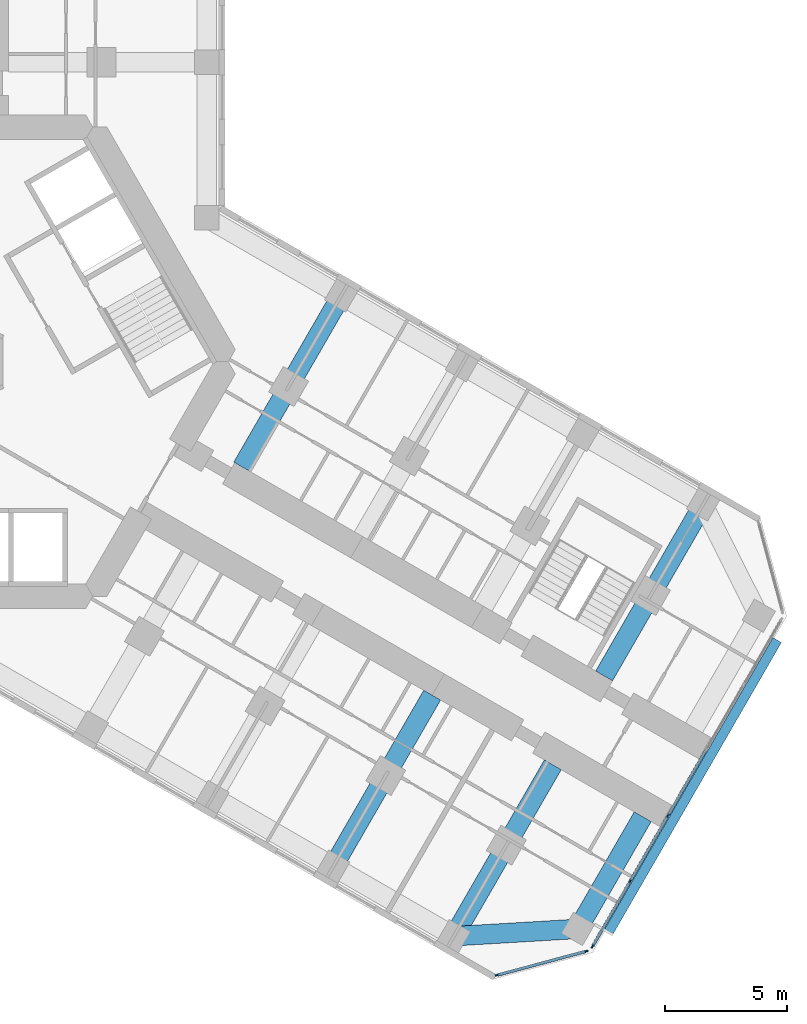
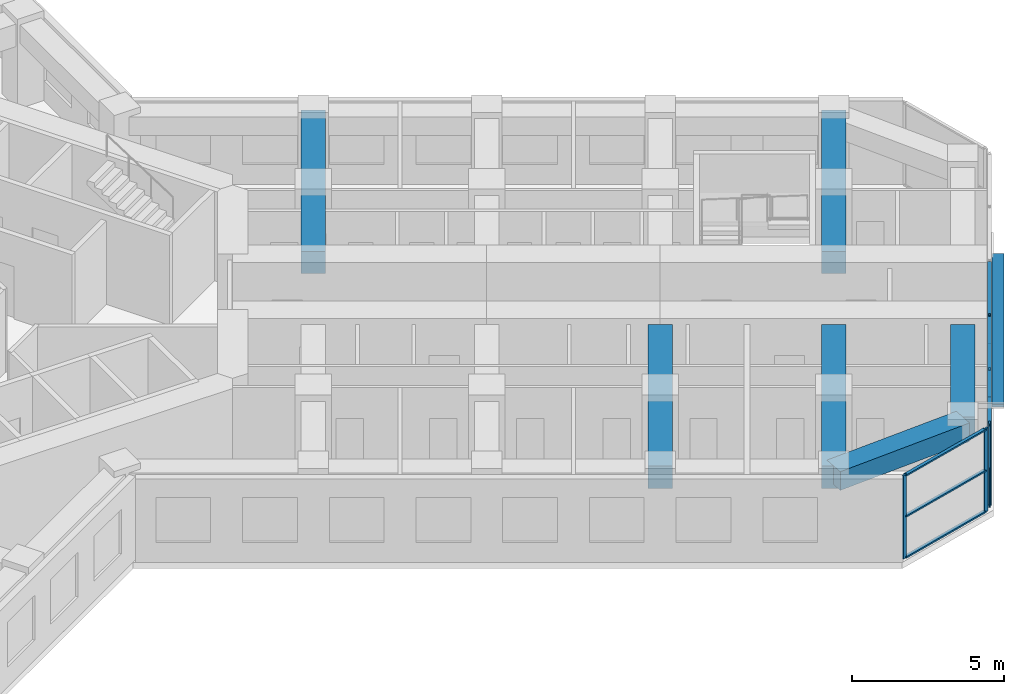
# One storey, part 5 of 21: 15 members, 6 beams, 2 elements without a shape of their own.
"""IFC4 building model written with IfcOpenShell, lengths in metres."""

import ifcopenshell
import ifcopenshell.guid

model = None  # the IFC model being written
_history = None  # IfcOwnerHistory: only IFC2X3 demands one
_inside = {}  # id of a spatial element -> (the spatial element, [elements in it])
_under = {}  # id of a project, library or spatial element -> (it, [spatial elements below it])
_declared = {}  # id of a project -> (the project, [libraries it declares])
_typed = {}  # id of a type object -> (the type object, [elements of that type])
_made_of = {}  # id of a material, layer set ... -> (it, [elements and type objects made of it])


def new_model(schema):
    """Start an empty IFC model of exactly this schema.

    Asked for "IFC4X3", IfcOpenShell would pick the latest addendum, in which some entities
    have other attributes; the version numbers below select the first issue.
    IFC2X3 requires an IfcOwnerHistory on every rooted entity: one is made here for all.
    """
    global model, _history
    if schema == "IFC4X3":
        model = ifcopenshell.file(schema_version=(4, 3, 0, 0))
    else:
        model = ifcopenshell.file(schema=schema)
    _inside.clear()
    _under.clear()
    _declared.clear()
    _typed.clear()
    _made_of.clear()
    _history = None
    if model.schema == "IFC2X3":
        org = make("IfcOrganization", Name="unknown")
        user = make(
            "IfcPersonAndOrganization",
            ThePerson=make("IfcPerson", FamilyName="unknown"),
            TheOrganization=org,
        )
        app = make(
            "IfcApplication",
            ApplicationDeveloper=org,
            Version="unknown",
            ApplicationFullName="unknown",
            ApplicationIdentifier="unknown",
        )
        _history = make(
            "IfcOwnerHistory",
            OwningUser=user,
            OwningApplication=app,
            ChangeAction="ADDED",
            CreationDate=0,
        )
    return model


def make(cls, **values):
    """One entity of the class cls with the attributes given. An attribute that is None is left unset."""
    return model.create_entity(
        cls, **{name: value for name, value in values.items() if value is not None}
    )


def rooted(cls, **values):
    """An entity with a GlobalId (a new one), such as an element, a storey or a relation."""
    return make(cls, GlobalId=ifcopenshell.guid.new(), OwnerHistory=_history, **values)


def si_unit(unit_type, name, prefix=None):
    """IfcSIUnit, for example si_unit("LENGTHUNIT", "METRE", prefix="MILLI")."""
    return make("IfcSIUnit", UnitType=unit_type, Prefix=prefix, Name=name)


def assignment(units):
    """IfcUnitAssignment: the units of a project."""
    return None if units is None else make("IfcUnitAssignment", Units=units)


def point(xyz):
    """IfcCartesianPoint."""
    return None if xyz is None else make("IfcCartesianPoint", Coordinates=xyz)


def direction(xyz):
    """IfcDirection."""
    return None if xyz is None else make("IfcDirection", DirectionRatios=xyz)


def frame(location, z_axis=None, x_axis=None):
    """IfcAxis2Placement3D, a coordinate frame: its origin and axes. An axis left out is left unset."""
    return make(
        "IfcAxis2Placement3D",
        Location=point(location),
        Axis=direction(z_axis),
        RefDirection=direction(x_axis),
    )


def frame_2d(location, x_axis=None):
    """IfcAxis2Placement2D, a coordinate frame in the plane: its origin and x axis."""
    return make(
        "IfcAxis2Placement2D", Location=point(location), RefDirection=direction(x_axis)
    )


def origin():
    """The frame at (0, 0, 0) with its axes left unset."""
    return frame((0.0, 0.0, 0.0))


def origin_2d():
    """The frame at (0, 0) in the plane with its x axis left unset."""
    return frame_2d((0.0, 0.0))


def place(relative_to, where):
    """IfcLocalPlacement: puts the frame where relative to a parent placement (None: the world)."""
    return make(
        "IfcLocalPlacement", PlacementRelTo=relative_to, RelativePlacement=where
    )


def context(
    kind, dimensions, precision=None, world=None, true_north=None, identifier=None
):
    """IfcGeometricRepresentationContext, for example the 3D "Model" context."""
    return make(
        "IfcGeometricRepresentationContext",
        ContextIdentifier=identifier,
        ContextType=kind,
        CoordinateSpaceDimension=dimensions,
        Precision=precision,
        WorldCoordinateSystem=world,
        TrueNorth=true_north,
    )


def subcontext(parent, identifier, kind, view, scale=None):
    """IfcGeometricRepresentationSubContext, for example "Body" below "Model"."""
    return make(
        "IfcGeometricRepresentationSubContext",
        ContextIdentifier=identifier,
        ContextType=kind,
        ParentContext=parent,
        TargetScale=scale,
        TargetView=view,
    )


def project(units=None, contexts=None):
    """IfcProject with its units and contexts."""
    return rooted(
        "IfcProject",
        Name="project",
        RepresentationContexts=contexts,
        UnitsInContext=assignment(units),
    )


def spatial(cls, under=None, at=None, **own):
    """A site, building, storey or space (cls), placed at a placement, below another one or the project."""
    s = rooted(cls, ObjectPlacement=at, **own)
    if under is not None:
        _under.setdefault(under.id(), (under, []))[1].append(s)
    return s


def profile(cls, at=None, kind="AREA", **sizes):
    """A parametric profile (cls). Its sizes go by their IFC names, for example OverallWidth=200.0."""
    return make(cls, ProfileType=kind, Position=at, **sizes)


def rectangle(**sizes):
    """IfcRectangleProfileDef."""
    return profile("IfcRectangleProfileDef", **sizes)


def extrude(swept, where, along, depth):
    """IfcExtrudedAreaSolid: the profile swept, set in the frame where, extruded along a direction by depth."""
    return make(
        "IfcExtrudedAreaSolid",
        SweptArea=swept,
        Position=where,
        ExtrudedDirection=direction(along),
        Depth=depth,
    )


def shape(context_of_items, identifier, shape_type, items):
    """IfcShapeRepresentation: the items that make up one representation, for example the "Body"."""
    return make(
        "IfcShapeRepresentation",
        ContextOfItems=context_of_items,
        RepresentationIdentifier=identifier,
        RepresentationType=shape_type,
        Items=items,
    )


def material(Name=None, Category=None):
    """IfcMaterial."""
    return make("IfcMaterial", Name=Name, Category=Category)


def material_profile(
    of_material, cross_section, Name=None, Category=None, Priority=None
):
    """IfcMaterialProfile: a cross section and its material."""
    return make(
        "IfcMaterialProfile",
        Name=Name,
        Material=of_material,
        Profile=cross_section,
        Priority=Priority,
        Category=Category,
    )


def profile_set(profiles, Name=None, composite=None):
    """IfcMaterialProfileSet."""
    return make(
        "IfcMaterialProfileSet",
        Name=Name,
        MaterialProfiles=profiles,
        CompositeProfile=composite,
    )


def made_of(thing, what):
    """Note that an element or type object is made of a material, layer set ...; save() writes the relation."""
    if what is not None:
        _made_of.setdefault(what.id(), (what, []))[1].append(thing)
    return thing


def type_object(cls, material=None, **own):
    """A type object (cls), such as IfcWallType, which elements share."""
    return made_of(rooted(cls, **own), material)


def element(
    cls,
    number,
    at=None,
    inside=None,
    cuts=None,
    type_object=None,
    material=None,
    context=None,
    identifier="Body",
    shape_type=None,
    held_by="IfcProductDefinitionShape",
    body=None,
    shapes=None,
    **own,
):
    """One element of the class cls, such as IfcWall. Its Tag is "e" and its number.

    at: its placement. inside: the storey or other place that contains it. cuts: it is an
    opening in that element (IfcRelVoidsElement). A single representation is given by context,
    identifier, shape_type and body (its items); several are given by shapes. held_by: the class
    of the entity that holds the representations. save() writes the other relations.
    """
    e = rooted(cls, Tag="e%d" % number, ObjectPlacement=at, **own)
    if body is not None:
        shapes = [shape(context, identifier, shape_type, body)]
    if shapes is not None:
        e.Representation = make(held_by, Representations=shapes)
    if inside is not None:
        _inside.setdefault(inside.id(), (inside, []))[1].append(e)
    if cuts is not None:
        rooted(
            "IfcRelVoidsElement", RelatingBuildingElement=cuts, RelatedOpeningElement=e
        )
    if type_object is not None:
        _typed.setdefault(type_object.id(), (type_object, []))[1].append(e)
    return made_of(e, material)


def aggregate(whole, parts):
    """IfcRelAggregates: a whole, such as a stair, and the parts it consists of."""
    return rooted("IfcRelAggregates", RelatingObject=whole, RelatedObjects=parts)


def save(model, path):
    """Write the relations noted so far, then the file.

    IfcRelAggregates (storeys below a building ...), IfcRelContainedInSpatialStructure (elements
    in a storey), IfcRelDefinesByType, IfcRelAssociatesMaterial and IfcRelDeclares: one each for
    every whole, place, type object, material and project.
    """
    for whole, parts in _under.values():
        aggregate(whole, parts)
    for where, things in _inside.values():
        rooted(
            "IfcRelContainedInSpatialStructure",
            RelatedElements=things,
            RelatingStructure=where,
        )
    for kind, things in _typed.values():
        rooted("IfcRelDefinesByType", RelatedObjects=things, RelatingType=kind)
    for what, things in _made_of.values():
        rooted("IfcRelAssociatesMaterial", RelatedObjects=things, RelatingMaterial=what)
    for by, libraries in _declared.values():
        rooted("IfcRelDeclares", RelatingContext=by, RelatedDefinitions=libraries)
    model.write(path)


model = new_model("IFC4")

# Units and contexts
model_context = context("Model", 3, precision=1e-05, world=origin(), true_north=direction((0.0, 1.0)))
body_context = subcontext(model_context, "Body", "Model", "MODEL_VIEW")
ifc_project = project(units=[si_unit("LENGTHUNIT", "METRE"), si_unit("AREAUNIT", "SQUARE_METRE"), si_unit("VOLUMEUNIT", "CUBIC_METRE"), si_unit("PLANEANGLEUNIT", "RADIAN"), si_unit("MASSUNIT", "GRAM", prefix="KILO")], contexts=[model_context])

# Site, building, storey
site_placement = place(None, origin())
site = spatial("IfcSite", under=ifc_project, at=site_placement, CompositionType="ELEMENT")
building_placement = place(site_placement, origin())
building = spatial("IfcBuilding", under=site, at=building_placement, Name="Kosmar Iwan School Tower", CompositionType="ELEMENT")
storey_placement = place(building_placement, frame((0.0, 0.0, 64.60009765625)))
storey = spatial("IfcBuildingStorey", under=building, at=storey_placement, Name="L15", CompositionType="ELEMENT", Elevation=64.60009765625)

# Member
ifc_material_1 = material(Name="Black anodised aluminium", Category="aluminium")
ifc_material_profile_1 = material_profile(ifc_material_1, rectangle(XDim=0.10009765625, YDim=0.39990234375, at=origin_2d()), Name="FIN 100x400")
ifc_profile_set_1 = profile_set([ifc_material_profile_1], Name="Black anodised aluminium")
member_type_1 = type_object("IfcMemberType", Name="Diagonal fin 100x400", PredefinedType="USERDEFINED", material=ifc_profile_set_1)
member_1_placement = place(storey_placement, frame((33.54345703125, -11.40087890625, -0.150146484375), z_axis=(-0.483793446988, -0.837970316603, 0.25248692866), x_axis=(0.126241714543, 0.218661104574, 0.96760030532)))
element("IfcMember", 1, at=member_1_placement, inside=storey, type_object=member_type_1, Name="Diagonal fin L15-F03", ObjectType="FIN", PredefinedType="USERDEFINED", context=body_context, shape_type="SweptSolid", body=[
    extrude(rectangle(XDim=0.10009765625, YDim=0.39990234375, at=origin_2d()), origin(), (0.0, 0.0, 1.0), 14.258544921875),
])

# Curtain wall, members
ifc_material_2 = material(Name="Dark glass in black aluminium frame", Category="aluminium")
curtain_wall_type_1 = type_object("IfcCurtainWallType", Name="Chamfer curtain wall dark glass", PredefinedType="USERDEFINED", material=ifc_material_2)
curtain_wall_1_placement = place(storey_placement, origin())
curtain_wall_1 = element("IfcCurtainWall", 2, at=curtain_wall_1_placement, inside=storey, type_object=curtain_wall_type_1, Name="Curtain wall L15-F02", ObjectType="FACETED CURTAIN WALL", PredefinedType="USERDEFINED")
ifc_material_3 = material(Name="Black anodised aluminium", Category="aluminium")
ifc_material_profile_2 = material_profile(ifc_material_3, rectangle(XDim=0.06005859375, YDim=0.159912109375, at=origin_2d()), Name="MULLION 60x160")
ifc_profile_set_2 = profile_set([ifc_material_profile_2], Name="Black anodised aluminium")
member_type_2 = type_object("IfcMemberType", Name="Mullion 60x160", PredefinedType="MULLION", material=ifc_profile_set_2)
member_2_placement = place(storey_placement, frame((22.0830078125, -25.102294921875, 0.0), z_axis=(0.0, 0.0, 1.0), x_axis=(-0.258818861462, 0.965925875495, 0.0)))
member_2 = element("IfcMember", 3, at=member_2_placement, type_object=member_type_2, Name="CW2 mullion 1", PredefinedType="MULLION", context=body_context, shape_type="SweptSolid", body=[
    extrude(rectangle(XDim=0.06005859375, YDim=0.159912109375, at=origin_2d()), origin(), (0.0, 0.0, 1.0), 3.349853515625),
])
member_3_placement = place(storey_placement, frame((25.733154296875, -24.124267578125, 0.0), z_axis=(0.0, 0.0, 1.0), x_axis=(-0.258818861462, 0.965925875495, 0.0)))
member_3 = element("IfcMember", 4, at=member_3_placement, type_object=member_type_2, Name="CW2 mullion 2", PredefinedType="MULLION", context=body_context, shape_type="SweptSolid", body=[
    extrude(rectangle(XDim=0.06005859375, YDim=0.159912109375, at=origin_2d()), origin(), (0.0, 0.0, 1.0), 3.349853515625),
])

ifc_material_4 = material(Name="Dark glass in black aluminium frame", Category="aluminium")
curtain_wall_type_2 = type_object("IfcCurtainWallType", Name="Tower curtain wall dark glass", PredefinedType="USERDEFINED", material=ifc_material_4)
curtain_wall_2_placement = place(storey_placement, origin())
curtain_wall_2 = element("IfcCurtainWall", 5, at=curtain_wall_2_placement, inside=storey, type_object=curtain_wall_type_2, Name="Curtain wall L15-F03", ObjectType="UNITISED CURTAIN WALL", PredefinedType="USERDEFINED")
member_4_placement = place(storey_placement, frame((25.9970703125, -23.921630859375, 0.0), z_axis=(0.0, 0.0, 1.0), x_axis=(-0.866025405329, 0.499999997325, 0.0)))
member_4 = element("IfcMember", 6, at=member_4_placement, type_object=member_type_2, Name="CW1 mullion 1", PredefinedType="MULLION", context=body_context, shape_type="SweptSolid", body=[
    extrude(rectangle(XDim=0.06005859375, YDim=0.159912109375, at=origin_2d()), origin(), (0.0, 0.0, 1.0), 3.349853515625),
])
member_5_placement = place(storey_placement, frame((27.53173828125, -21.263671875, 0.0), z_axis=(0.0, 0.0, 1.0), x_axis=(-0.866025405329, 0.499999997325, 0.0)))
member_5 = element("IfcMember", 7, at=member_5_placement, type_object=member_type_2, Name="CW1 mullion 2", PredefinedType="MULLION", context=body_context, shape_type="SweptSolid", body=[
    extrude(rectangle(XDim=0.06005859375, YDim=0.159912109375, at=origin_2d()), origin(), (0.0, 0.0, 1.0), 3.349853515625),
])
member_6_placement = place(storey_placement, frame((29.081298828125, -18.57958984375, 0.0), z_axis=(0.0, 0.0, 1.0), x_axis=(-0.866025405329, 0.499999997325, 0.0)))
member_6 = element("IfcMember", 8, at=member_6_placement, type_object=member_type_2, Name="CW1 mullion 3", PredefinedType="MULLION", context=body_context, shape_type="SweptSolid", body=[
    extrude(rectangle(XDim=0.06005859375, YDim=0.159912109375, at=origin_2d()), origin(), (0.0, 0.0, 1.0), 3.349853515625),
])

# Beams
ifc_material_5 = material(Name="Concrete C50/60", Category="concrete")
ifc_material_profile_3 = material_profile(ifc_material_5, rectangle(XDim=0.800048828125, YDim=0.75, at=origin_2d()), Name="RC 800x750")
ifc_profile_set_3 = profile_set([ifc_material_profile_3], Name="Concrete C50/60")
beam_type_1 = type_object("IfcBeamType", Name="RC tip beam 800x750", PredefinedType="BEAM", material=ifc_profile_set_3)
beam_1_placement = place(storey_placement, frame((20.31787109375, -23.508544921875, 2.974853515625), z_axis=(0.998260616478, 0.058955420358, 0.0), x_axis=(-0.058955420358, 0.998260616478, 0.0)))
element("IfcBeam", 9, at=beam_1_placement, inside=storey, type_object=beam_type_1, Name="Tip beam CR", PredefinedType="BEAM", context=body_context, shape_type="SweptSolid", body=[
    extrude(rectangle(XDim=0.800048828125, YDim=0.75, at=origin_2d()), origin(), (0.0, 0.0, 1.0), 5.08935546875),
])
beam_2_placement = place(storey_placement, frame((25.3984375, -23.20849609375, 2.974853515625), z_axis=(0.499993606316, 0.866029095148, 0.0), x_axis=(-0.866029095148, 0.499993606316, 0.0)))
element("IfcBeam", 10, at=beam_2_placement, inside=storey, type_object=beam_type_1, Name="Tip beam CR to corridor wall", PredefinedType="BEAM", context=body_context, shape_type="SweptSolid", body=[
    extrude(rectangle(XDim=0.800048828125, YDim=0.75, at=origin_2d()), origin(), (0.0, 0.0, 1.0), 5.2998046875),
])
ifc_material_6 = material(Name="Concrete C50/60", Category="concrete")
ifc_material_profile_4 = material_profile(ifc_material_6, rectangle(XDim=0.800048828125, YDim=0.89990234375, at=origin_2d()), Name="RC 800x900")
ifc_profile_set_4 = profile_set([ifc_material_profile_4], Name="Concrete C50/60")
beam_type_2 = type_object("IfcBeamType", Name="RC transverse beam 800x900", PredefinedType="BEAM", material=ifc_profile_set_4)
for number, where, z_axis, x_axis, name in (
    (11, (15.708740234375, 2.70849609375, 2.89990234375), (-0.499999880539, -0.866025472755, 0.0), (0.866025472755, -0.499999880539, 0.0), "Transverse beam CL1"),
    (12, (30.517822265625, -5.841552734375, 2.89990234375), (-0.499999880539, -0.866025472755, 0.0), (0.866025472755, -0.499999880539, 0.0), "Transverse beam CL4"),
    (13, (15.381591796875, -20.658447265625, 2.89990234375), (0.499977274689, 0.866038523851, 0.0), (-0.866038523851, 0.499977274689, 0.0), "Transverse beam CR3"),
    (14, (20.31787109375, -23.508544921875, 2.89990234375), (0.499999880539, 0.866025472755, 0.0), (-0.866025472755, 0.499999880539, 0.0), "Transverse beam CR4"),
):
    element("IfcBeam", number, at=place(storey_placement, frame(where, z_axis=z_axis, x_axis=x_axis)), inside=storey, type_object=beam_type_2, Name=name, PredefinedType="BEAM", context=body_context, shape_type="SweptSolid", body=[
        extrude(rectangle(XDim=0.800048828125, YDim=0.89990234375, at=origin_2d()), origin(), (0.0, 0.0, 1.0), 8.10009765625),
    ])

# Member
ifc_material_7 = material(Name="Black anodised aluminium", Category="aluminium")
ifc_material_profile_5 = material_profile(ifc_material_7, rectangle(XDim=0.1201171875, YDim=0.06005859375, at=origin_2d()), Name="TRANSOM 60x120")
ifc_profile_set_5 = profile_set([ifc_material_profile_5], Name="Black anodised aluminium")
member_type_3 = type_object("IfcMemberType", Name="Transom 60x120", PredefinedType="USERDEFINED", material=ifc_profile_set_5)
member_7_placement = place(storey_placement, frame((22.11181640625, -25.094482421875, 0.02978515625), z_axis=(0.965923731726, 0.258826861991, 0.0), x_axis=(-0.258826861991, 0.965923731726, 0.0)))
member_7 = element("IfcMember", 15, at=member_7_placement, type_object=member_type_3, Name="CW2 transom 1.1", ObjectType="TRANSOM", PredefinedType="USERDEFINED", context=body_context, shape_type="SweptSolid", body=[
    extrude(rectangle(XDim=0.1201171875, YDim=0.06005859375, at=origin_2d()), origin(), (0.0, 0.0, 1.0), 3.71923828125),
])

member_8_placement = place(storey_placement, frame((22.11181640625, -25.094482421875, 1.6748046875), z_axis=(0.965923731726, 0.258826861991, 0.0), x_axis=(-0.258826861991, 0.965923731726, 0.0)))
member_8 = element("IfcMember", 16, at=member_8_placement, type_object=member_type_3, Name="CW2 transom 1.2", ObjectType="TRANSOM", PredefinedType="USERDEFINED", context=body_context, shape_type="SweptSolid", body=[
    extrude(rectangle(XDim=0.1201171875, YDim=0.06005859375, at=origin_2d()), origin(), (0.0, 0.0, 1.0), 3.71923828125),
])

member_9_placement = place(storey_placement, frame((22.11181640625, -25.094482421875, 3.31982421875), z_axis=(0.965923731726, 0.258826861991, 0.0), x_axis=(-0.258826861991, 0.965923731726, 0.0)))
member_9 = element("IfcMember", 17, at=member_9_placement, type_object=member_type_3, Name="CW2 transom 1.3", ObjectType="TRANSOM", PredefinedType="USERDEFINED", context=body_context, shape_type="SweptSolid", body=[
    extrude(rectangle(XDim=0.1201171875, YDim=0.06005859375, at=origin_2d()), origin(), (0.0, 0.0, 1.0), 3.71923828125),
])

aggregate(curtain_wall_1, [member_2, member_3, member_7, member_8, member_9])

member_10_placement = place(storey_placement, frame((26.01220703125, -23.895751953125, 0.02978515625), z_axis=(0.499986971506, 0.866032925658, 0.0), x_axis=(-0.866032925658, 0.499986971506, 0.0)))
member_10 = element("IfcMember", 18, at=member_10_placement, type_object=member_type_3, Name="CW1 transom 1.1", ObjectType="TRANSOM", PredefinedType="USERDEFINED", context=body_context, shape_type="SweptSolid", body=[
    extrude(rectangle(XDim=0.1201171875, YDim=0.06005859375, at=origin_2d()), origin(), (0.0, 0.0, 1.0), 3.00927734375),
])

member_11_placement = place(storey_placement, frame((26.01220703125, -23.895751953125, 3.31982421875), z_axis=(0.499986971506, 0.866032925658, 0.0), x_axis=(-0.866032925658, 0.499986971506, 0.0)))
member_11 = element("IfcMember", 19, at=member_11_placement, type_object=member_type_3, Name="CW1 transom 1.2", ObjectType="TRANSOM", PredefinedType="USERDEFINED", context=body_context, shape_type="SweptSolid", body=[
    extrude(rectangle(XDim=0.1201171875, YDim=0.06005859375, at=origin_2d()), origin(), (0.0, 0.0, 1.0), 3.00927734375),
])

member_12_placement = place(storey_placement, frame((27.546875, -21.237548828125, 0.02978515625), z_axis=(0.499975102327, 0.866039777986, 0.0), x_axis=(-0.866039777986, 0.499975102327, 0.0)))
member_12 = element("IfcMember", 20, at=member_12_placement, type_object=member_type_3, Name="CW1 transom 2.1", ObjectType="TRANSOM", PredefinedType="USERDEFINED", context=body_context, shape_type="SweptSolid", body=[
    extrude(rectangle(XDim=0.1201171875, YDim=0.06005859375, at=origin_2d()), origin(), (0.0, 0.0, 1.0), 3.039306640625),
])

member_13_placement = place(storey_placement, frame((27.546875, -21.237548828125, 3.31982421875), z_axis=(0.499975102327, 0.866039777986, 0.0), x_axis=(-0.866039777986, 0.499975102327, 0.0)))
member_13 = element("IfcMember", 21, at=member_13_placement, type_object=member_type_3, Name="CW1 transom 2.2", ObjectType="TRANSOM", PredefinedType="USERDEFINED", context=body_context, shape_type="SweptSolid", body=[
    extrude(rectangle(XDim=0.1201171875, YDim=0.06005859375, at=origin_2d()), origin(), (0.0, 0.0, 1.0), 3.039306640625),
])

member_14_placement = place(storey_placement, frame((29.096435546875, -18.553466796875, 0.02978515625), z_axis=(0.499975102327, 0.866039777986, 0.0), x_axis=(-0.866039777986, 0.499975102327, 0.0)))
member_14 = element("IfcMember", 22, at=member_14_placement, type_object=member_type_3, Name="CW1 transom 3.1", ObjectType="TRANSOM", PredefinedType="USERDEFINED", context=body_context, shape_type="SweptSolid", body=[
    extrude(rectangle(XDim=0.1201171875, YDim=0.06005859375, at=origin_2d()), origin(), (0.0, 0.0, 1.0), 3.039306640625),
])

member_15_placement = place(storey_placement, frame((29.096435546875, -18.553466796875, 3.31982421875), z_axis=(0.499975102327, 0.866039777986, 0.0), x_axis=(-0.866039777986, 0.499975102327, 0.0)))
member_15 = element("IfcMember", 23, at=member_15_placement, type_object=member_type_3, Name="CW1 transom 3.2", ObjectType="TRANSOM", PredefinedType="USERDEFINED", context=body_context, shape_type="SweptSolid", body=[
    extrude(rectangle(XDim=0.1201171875, YDim=0.06005859375, at=origin_2d()), origin(), (0.0, 0.0, 1.0), 3.039306640625),
])

aggregate(curtain_wall_2, [member_4, member_5, member_6, member_10, member_11, member_12, member_13, member_14, member_15])

save(model, "model.ifc")
